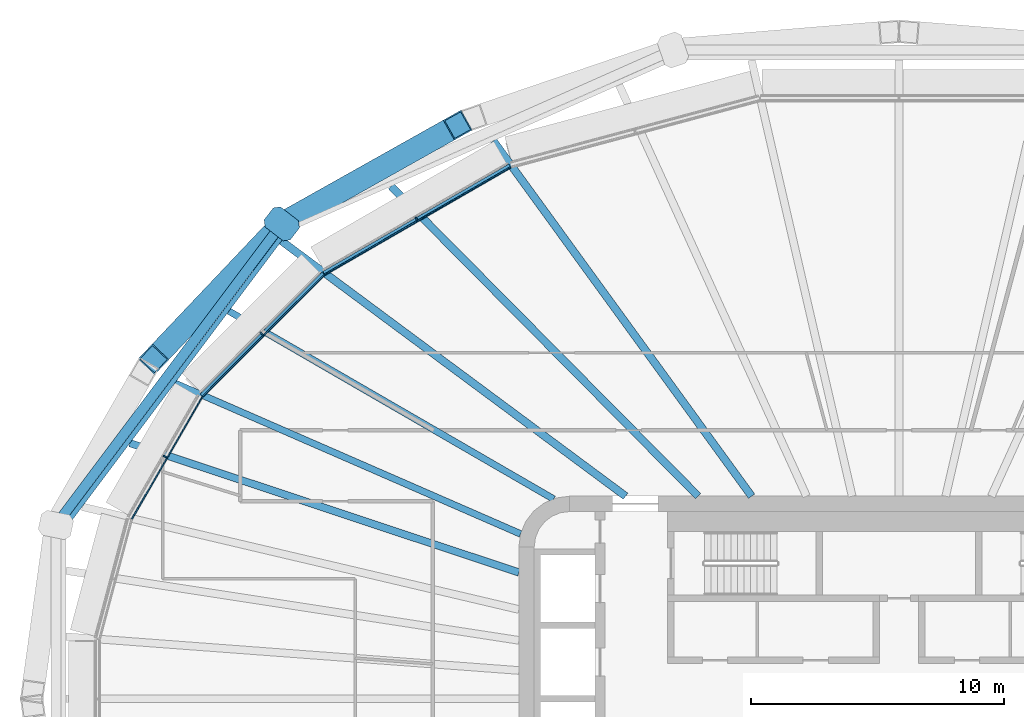
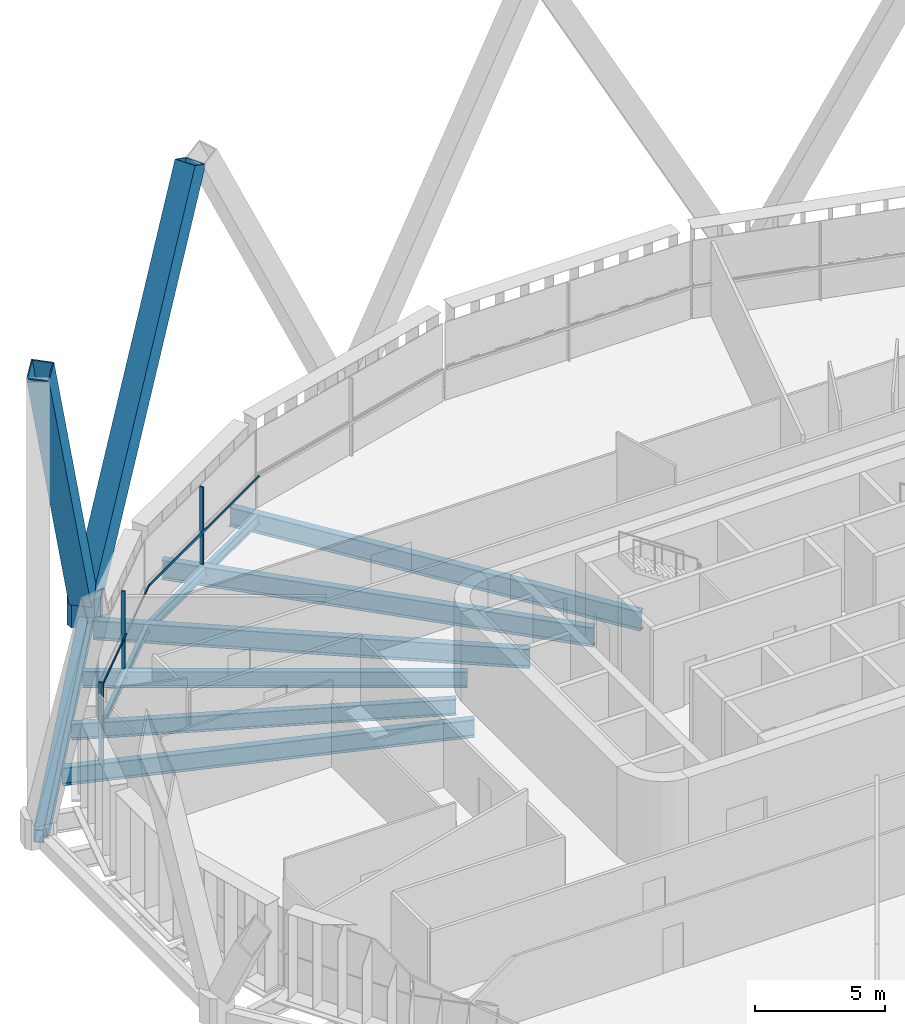
# One storey, part 7 of 26: 10 beams, 9 members, 3 elements without a shape of their own.
"""IFC4 building model written with IfcOpenShell, lengths in metres."""

from ifc_helpers import new_model, si_unit, direction, frame, origin, origin_2d, place, context, subcontext, project, spatial, polyline, rectangle, hollow_rectangle, i_section, outline, extrude, material, layer, layer_set, material_profile, profile_set, type_object, element, aggregate, save


model = new_model("IFC4")

# Units and contexts
model_context = context("Model", 3, precision=1e-05, world=origin(), true_north=direction((0.0, 1.0)))
body_context = subcontext(model_context, "Body", "Model", "MODEL_VIEW")
ifc_project = project(units=[si_unit("LENGTHUNIT", "METRE"), si_unit("AREAUNIT", "SQUARE_METRE"), si_unit("VOLUMEUNIT", "CUBIC_METRE"), si_unit("PLANEANGLEUNIT", "RADIAN"), si_unit("MASSUNIT", "GRAM", prefix="KILO")], contexts=[model_context])

# Site, building, storey
site_placement = place(None, origin())
site = spatial("IfcSite", under=ifc_project, at=site_placement, CompositionType="ELEMENT")
building_placement = place(site_placement, origin())
building = spatial("IfcBuilding", under=site, at=building_placement, Name="Sahrelin Media Tower", CompositionType="ELEMENT")
storey_placement = place(building_placement, frame((0.0, 0.0, 131.39990234375)))
storey = spatial("IfcBuildingStorey", under=building, at=storey_placement, Name="L26", CompositionType="ELEMENT", Elevation=131.39990234375)

# Members
ifc_material_1 = material(Name="Steel S460", Category="steel")
ifc_material_profile_1 = material_profile(ifc_material_1, hollow_rectangle(XDim=0.89990234375, YDim=0.89990234375, WallThickness=0.050048828125, at=origin_2d()), Name="Diagrid diagonal DG3")
ifc_profile_set_1 = profile_set([ifc_material_profile_1], Name="Steel S460")
member_type_1 = type_object("IfcMemberType", Name="Diagrid diagonal DG3", PredefinedType="BRACE", material=ifc_profile_set_1)
member_1_placement = place(storey_placement, frame((-24.056640625, 18.918212890625, 0.7001953125), z_axis=(0.386530667457, 0.217011390542, 0.896381670657), x_axis=(-0.489554855543, 0.871972501524, 0.0)))
element("IfcMember", 1, at=member_1_placement, inside=storey, type_object=member_type_1, Name="Diagrid diagonal D05-08", PredefinedType="BRACE", context=body_context, shape_type="SweptSolid", body=[
    extrude(hollow_rectangle(XDim=0.89990234375, YDim=0.89990234375, WallThickness=0.050048828125, at=origin_2d()), origin(), (0.0, 0.0, 1.0), 17.18017578125),
])
member_2_placement = place(storey_placement, frame((-24.57861328125, 18.516357421875, 0.7001953125), z_axis=(-0.28605931744, -0.301832156171, 0.909432469404), x_axis=(0.725816925238, -0.687887920404, 0.0)))
element("IfcMember", 2, at=member_2_placement, inside=storey, type_object=member_type_1, Name="Diagrid diagonal D05-09", PredefinedType="BRACE", context=body_context, shape_type="SweptSolid", body=[
    extrude(hollow_rectangle(XDim=0.89990234375, YDim=0.89990234375, WallThickness=0.050048828125, at=origin_2d()), origin(), (0.0, 0.0, 1.0), 16.93359375),
])
ifc_material_profile_2 = material_profile(ifc_material_1, outline(polyline([(0.449951171875, -0.5), (0.64990234375, -0.300048828125), (0.64990234375, 0.300048828125), (0.449951171875, 0.5), (-0.449951171875, 0.5), (-0.64990234375, 0.300048828125), (-0.64990234375, -0.300048828125), (-0.449951171875, -0.5), (0.449951171875, -0.5)])), Name="Diagrid node block 1300")
ifc_profile_set_2 = profile_set([ifc_material_profile_2], Name="Steel S460")
member_type_2 = type_object("IfcMemberType", Name="Diagrid node block 1300", PredefinedType="USERDEFINED", material=ifc_profile_set_2)
member_3_placement = place(storey_placement, frame((-24.3583984375, 18.748779296875, -0.699951171875), z_axis=(0.0, 0.0, 1.0), x_axis=(-0.792445093645, 0.609943254376, 0.0)))
element("IfcMember", 3, at=member_3_placement, inside=storey, type_object=member_type_2, Name="Diagrid node N05-04", ObjectType="NODE", PredefinedType="USERDEFINED", context=body_context, shape_type="SweptSolid", body=[
    extrude(outline(polyline([(0.449951171875, -0.5), (0.64990234375, -0.300048828125), (0.64990234375, 0.300048828125), (0.449951171875, 0.5), (-0.449951171875, 0.5), (-0.64990234375, 0.300048828125), (-0.64990234375, -0.300048828125), (-0.449951171875, -0.5), (0.449951171875, -0.5)])), origin(), (0.0, 0.0, 1.0), 1.400146484375),
])

# Beams
ifc_material_profile_3 = material_profile(ifc_material_1, hollow_rectangle(XDim=0.39990234375, YDim=0.60009765625, WallThickness=0.030029296875, at=origin_2d()), Name="Diagrid ring beam RB1")
ifc_profile_set_3 = profile_set([ifc_material_profile_3], Name="Steel S460")
beam_type_1 = type_object("IfcBeamType", Name="Diagrid ring beam RB1", PredefinedType="BEAM", material=ifc_profile_set_3)
beam_1_placement = place(storey_placement, frame((-24.3583984375, 18.748779296875, -0.449951171875), z_axis=(-0.600057835332, -0.799956620234, 0.0), x_axis=(0.799956620234, -0.600057835332, 0.0)))
element("IfcBeam", 4, at=beam_1_placement, inside=storey, type_object=beam_type_1, Name="Diagrid ring beam RB05-04", PredefinedType="BEAM", context=body_context, shape_type="SweptSolid", body=[
    extrude(hollow_rectangle(XDim=0.39990234375, YDim=0.60009765625, WallThickness=0.030029296875, at=origin_2d()), origin(), (0.0, 0.0, 1.0), 14.858642578125),
])
ifc_material_2 = material(Name="Steel S355", Category="steel")
ifc_material_profile_4 = material_profile(ifc_material_2, i_section(OverallWidth=0.17138671875, OverallDepth=0.35498046875, WebThickness=0.00732421875, FlangeThickness=0.011474609375, FilletRadius=0.01025390625, at=origin_2d()), Name="UB 356x171x51")
ifc_profile_set_4 = profile_set([ifc_material_profile_4], Name="Steel S355")
beam_type_2 = type_object("IfcBeamType", Name="Edge beam EB3", PredefinedType="BEAM", material=ifc_profile_set_4)
beam_2_placement = place(storey_placement, frame((-27.51220703125, 11.97119140625, -0.327392578125), z_axis=(0.707106781187, 0.707106781187, 0.0), x_axis=(-0.707106781187, 0.707106781187, 0.0)))
element("IfcBeam", 5, at=beam_2_placement, inside=storey, type_object=beam_type_2, Name="Edge beam L26-16", PredefinedType="BEAM", context=body_context, shape_type="SweptSolid", body=[
    extrude(i_section(OverallWidth=0.17138671875, OverallDepth=0.35498046875, WebThickness=0.00732421875, FlangeThickness=0.011474609375, FilletRadius=0.01025390625, at=origin_2d()), origin(), (0.0, 0.0, 1.0), 6.789794921875),
])
ifc_material_profile_5 = material_profile(ifc_material_2, i_section(OverallWidth=0.1904296875, OverallDepth=0.45703125, WebThickness=0.009033203125, FlangeThickness=0.014404296875, FilletRadius=0.01025390625, at=origin_2d()), Name="UB 457x191x74")
ifc_profile_set_5 = profile_set([ifc_material_profile_5], Name="Steel S355")
beam_type_3 = type_object("IfcBeamType", Name="Edge beam EB5", PredefinedType="BEAM", material=ifc_profile_set_5)
beam_3_placement = place(storey_placement, frame((-22.6884765625, 16.789794921875, -0.37841796875), z_axis=(0.866017756825, 0.500013244689, 0.0), x_axis=(-0.500013244689, 0.866017756825, 0.0)))
element("IfcBeam", 6, at=beam_3_placement, inside=storey, type_object=beam_type_3, Name="Edge beam L26-17", PredefinedType="BEAM", context=body_context, shape_type="SweptSolid", body=[
    extrude(i_section(OverallWidth=0.1904296875, OverallDepth=0.45703125, WebThickness=0.009033203125, FlangeThickness=0.014404296875, FilletRadius=0.01025390625, at=origin_2d()), origin(), (0.0, 0.0, 1.0), 8.478759765625),
])

# Curtain wall, member
ifc_material_3 = material(Name="Champagne anodised aluminium 6063-T6", Category="aluminium")
ifc_layer = layer(ifc_material_3, 0.14990234375)
ifc_layer_set = layer_set([ifc_layer], Name="Tower ribbon curtain wall")
curtain_wall_type = type_object("IfcCurtainWallType", Name="Tower ribbon curtain wall", PredefinedType="NOTDEFINED", material=ifc_layer_set)
curtain_wall_1_placement = place(storey_placement, frame((-19.092041015625, 19.039306640625, 0.0), z_axis=(0.0, 0.0, 1.0), x_axis=(1.0, 0.0, 0.0)))
curtain_wall_1 = element("IfcCurtainWall", 7, at=curtain_wall_1_placement, inside=storey, type_object=curtain_wall_type, Name="L26:CW:L26-08", PredefinedType="NOTDEFINED")
ifc_material_profile_6 = material_profile(ifc_material_3, rectangle(XDim=0.06005859375, YDim=0.14990234375, at=origin_2d()), Name="Mullion 60x150")
ifc_profile_set_6 = profile_set([ifc_material_profile_6], Name="Champagne anodised aluminium 6063-T6")
member_type_3 = type_object("IfcMemberType", Name="Mullion 60x150 CW1", PredefinedType="MULLION", material=ifc_profile_set_6)
member_4_placement = place(storey_placement, frame((-19.04443359375, 18.95703125, 0.0), z_axis=(0.0, 0.0, 1.0), x_axis=(-0.866028894422, -0.49999395399, 0.0)))
member_4 = element("IfcMember", 8, at=member_4_placement, type_object=member_type_3, Name="L26:CWM:L26-08", PredefinedType="MULLION", context=body_context, shape_type="SweptSolid", body=[
    extrude(rectangle(XDim=0.06005859375, YDim=0.14990234375, at=origin_2d()), origin(), (0.0, 0.0, 1.0), 3.648681640625),
])

curtain_wall_2_placement = place(storey_placement, frame((-25.218017578125, 14.477783203125, 0.0), z_axis=(0.0, 0.0, 1.0), x_axis=(1.0, 0.0, 0.0)))
curtain_wall_2 = element("IfcCurtainWall", 9, at=curtain_wall_2_placement, inside=storey, type_object=curtain_wall_type, Name="L26:CW:L26-09", PredefinedType="NOTDEFINED")
member_5_placement = place(storey_placement, frame((-25.150634765625, 14.41064453125, 0.0), z_axis=(0.0, 0.0, 1.0), x_axis=(-0.707099376343, -0.707114185953, 0.0)))
member_5 = element("IfcMember", 10, at=member_5_placement, type_object=member_type_3, Name="L26:CWM:L26-09", PredefinedType="MULLION", context=body_context, shape_type="SweptSolid", body=[
    extrude(rectangle(XDim=0.06005859375, YDim=0.14990234375, at=origin_2d()), origin(), (0.0, 0.0, 1.0), 3.648681640625),
])

curtain_wall_3_placement = place(storey_placement, frame((-29.053955078125, 9.608642578125, 0.0), z_axis=(0.0, 0.0, 1.0), x_axis=(1.0, 0.0, 0.0)))
curtain_wall_3 = element("IfcCurtainWall", 11, at=curtain_wall_3_placement, inside=storey, type_object=curtain_wall_type, Name="L26:CW:L26-10", PredefinedType="NOTDEFINED")
member_6_placement = place(storey_placement, frame((-28.9716796875, 9.56103515625, 0.0), z_axis=(0.0, 0.0, 1.0), x_axis=(-0.500006045986, -0.866021913105, 0.0)))
member_6 = element("IfcMember", 12, at=member_6_placement, type_object=member_type_3, Name="L26:CWM:L26-10", PredefinedType="MULLION", context=body_context, shape_type="SweptSolid", body=[
    extrude(rectangle(XDim=0.06005859375, YDim=0.14990234375, at=origin_2d()), origin(), (0.0, 0.0, 1.0), 3.648681640625),
])

# Beams
ifc_material_profile_7 = material_profile(ifc_material_2, i_section(OverallWidth=0.30322265625, OverallDepth=0.903076171875, WebThickness=0.01513671875, FlangeThickness=0.020263671875, FilletRadius=0.01904296875, at=origin_2d()), Name="UB 914x305x201")
ifc_profile_set_7 = profile_set([ifc_material_profile_7], Name="Steel S355")
beam_type_4 = type_object("IfcBeamType", Name="Radial primary beam PB11", PredefinedType="BEAM", material=ifc_profile_set_7)
beam_4_placement = place(storey_placement, frame((-5.814453125, 8.0, -0.601318359375), z_axis=(-0.587913818186, 0.808923570176, 0.0), x_axis=(-0.808923570176, -0.587913818186, 0.0)))
element("IfcBeam", 13, at=beam_4_placement, inside=storey, type_object=beam_type_4, Name="Radial beam L26-08", PredefinedType="BEAM", context=body_context, shape_type="SweptSolid", body=[
    extrude(i_section(OverallWidth=0.30322265625, OverallDepth=0.903076171875, WebThickness=0.01513671875, FlangeThickness=0.020263671875, FilletRadius=0.01904296875, at=origin_2d()), origin(), (0.0, 0.0, 1.0), 17.33984375),
])
beam_5_placement = place(storey_placement, frame((-10.7880859375, 8.0, -0.601318359375), z_axis=(-0.803231499459, 0.595666986056, 0.0), x_axis=(-0.595666986056, -0.803231499459, 0.0)))
element("IfcBeam", 14, at=beam_5_placement, inside=storey, type_object=beam_type_4, Name="Radial beam L26-09", PredefinedType="BEAM", context=body_context, shape_type="SweptSolid", body=[
    extrude(i_section(OverallWidth=0.30322265625, OverallDepth=0.903076171875, WebThickness=0.01513671875, FlangeThickness=0.020263671875, FilletRadius=0.01904296875, at=origin_2d()), origin(), (0.0, 0.0, 1.0), 16.910400390625),
])
ifc_material_profile_8 = material_profile(ifc_material_2, i_section(OverallWidth=0.26513671875, OverallDepth=0.75390625, WebThickness=0.0126953125, FlangeThickness=0.017578125, FilletRadius=0.0166015625, at=origin_2d()), Name="UB 762x267x147")
ifc_profile_set_8 = profile_set([ifc_material_profile_8], Name="Steel S355")
beam_type_5 = type_object("IfcBeamType", Name="Radial primary beam PB9", PredefinedType="BEAM", material=ifc_profile_set_8)
beam_6_placement = place(storey_placement, frame((-14.932861328125, 6.510986328125, -0.52685546875), z_axis=(-0.916643283171, 0.399706256414, 0.0), x_axis=(-0.399706256414, -0.916643283171, 0.0)))
element("IfcBeam", 15, at=beam_6_placement, inside=storey, type_object=beam_type_5, Name="Radial beam L26-10", PredefinedType="BEAM", context=body_context, shape_type="SweptSolid", body=[
    extrude(i_section(OverallWidth=0.26513671875, OverallDepth=0.75390625, WebThickness=0.0126953125, FlangeThickness=0.017578125, FilletRadius=0.0166015625, at=origin_2d()), origin(), (0.0, 0.0, 1.0), 14.88818359375),
])
ifc_material_profile_9 = material_profile(ifc_material_2, i_section(OverallWidth=0.291748046875, OverallDepth=0.8349609375, WebThickness=0.013916015625, FlangeThickness=0.018798828125, FilletRadius=0.017822265625, at=origin_2d()), Name="UB 838x292x176")
ifc_profile_set_9 = profile_set([ifc_material_profile_9], Name="Steel S355")
beam_type_6 = type_object("IfcBeamType", Name="Radial secondary beam SB10", PredefinedType="BEAM", material=ifc_profile_set_9)
beam_7_placement = place(storey_placement, frame((-15.0, 4.98876953125, -0.5673828125), z_axis=(-0.948898825234, 0.315580448491, 0.0), x_axis=(-0.315580448491, -0.948898825234, 0.0)))
element("IfcBeam", 16, at=beam_7_placement, inside=storey, type_object=beam_type_6, Name="Secondary beam L26-10", PredefinedType="BEAM", context=body_context, shape_type="SweptSolid", body=[
    extrude(i_section(OverallWidth=0.291748046875, OverallDepth=0.8349609375, WebThickness=0.013916015625, FlangeThickness=0.018798828125, FilletRadius=0.017822265625, at=origin_2d()), origin(), (0.0, 0.0, 1.0), 16.181884765625),
])
ifc_material_profile_10 = material_profile(ifc_material_2, i_section(OverallWidth=0.30322265625, OverallDepth=0.903076171875, WebThickness=0.01513671875, FlangeThickness=0.020263671875, FilletRadius=0.01904296875, at=origin_2d()), Name="UB 914x305x201")
ifc_profile_set_10 = profile_set([ifc_material_profile_10], Name="Steel S355")
beam_type_7 = type_object("IfcBeamType", Name="Radial secondary beam SB11", PredefinedType="BEAM", material=ifc_profile_set_10)
beam_8_placement = place(storey_placement, frame((-7.923583984375, 8.0, -0.601318359375), z_axis=(-0.70370303488, 0.71049422144, 0.0), x_axis=(-0.71049422144, -0.70370303488, 0.0)))
element("IfcBeam", 17, at=beam_8_placement, inside=storey, type_object=beam_type_7, Name="Secondary beam L26-08", PredefinedType="BEAM", context=body_context, shape_type="SweptSolid", body=[
    extrude(i_section(OverallWidth=0.30322265625, OverallDepth=0.903076171875, WebThickness=0.01513671875, FlangeThickness=0.020263671875, FilletRadius=0.01904296875, at=origin_2d()), origin(), (0.0, 0.0, 1.0), 17.219970703125),
])
ifc_material_profile_11 = material_profile(ifc_material_2, i_section(OverallWidth=0.26513671875, OverallDepth=0.75390625, WebThickness=0.0126953125, FlangeThickness=0.017578125, FilletRadius=0.0166015625, at=origin_2d()), Name="UB 762x267x147")
ifc_profile_set_11 = profile_set([ifc_material_profile_11], Name="Steel S355")
beam_type_8 = type_object("IfcBeamType", Name="Radial secondary beam SB9", PredefinedType="BEAM", material=ifc_profile_set_11)
beam_9_placement = place(storey_placement, frame((-13.627197265625, 7.886474609375, -0.52685546875), z_axis=(-0.865515798986, 0.500881624444, 0.0), x_axis=(-0.500881624444, -0.865515798986, 0.0)))
element("IfcBeam", 18, at=beam_9_placement, inside=storey, type_object=beam_type_8, Name="Secondary beam L26-09", PredefinedType="BEAM", context=body_context, shape_type="SweptSolid", body=[
    extrude(i_section(OverallWidth=0.26513671875, OverallDepth=0.75390625, WebThickness=0.0126953125, FlangeThickness=0.017578125, FilletRadius=0.0166015625, at=origin_2d()), origin(), (0.0, 0.0, 1.0), 14.811767578125),
])
ifc_material_profile_12 = material_profile(ifc_material_2, i_section(OverallWidth=0.1904296875, OverallDepth=0.45703125, WebThickness=0.009033203125, FlangeThickness=0.014404296875, FilletRadius=0.01025390625, at=origin_2d()), Name="UB 457x191x74")
ifc_profile_set_12 = profile_set([ifc_material_profile_12], Name="Steel S355")
beam_type_9 = type_object("IfcBeamType", Name="Tie chord TC5", PredefinedType="BEAM", material=ifc_profile_set_12)
beam_10_placement = place(storey_placement, frame((-32.97412109375, 6.762451171875, -0.37841796875), z_axis=(0.60004789499, 0.799964076517, 0.0), x_axis=(-0.799964076517, 0.60004789499, 0.0)))
element("IfcBeam", 19, at=beam_10_placement, inside=storey, type_object=beam_type_9, Name="Tie chord L26-08", PredefinedType="BEAM", context=body_context, shape_type="SweptSolid", body=[
    extrude(i_section(OverallWidth=0.1904296875, OverallDepth=0.45703125, WebThickness=0.009033203125, FlangeThickness=0.014404296875, FilletRadius=0.01025390625, at=origin_2d()), origin(), (0.0, 0.0, 1.0), 14.68017578125),
])

# Member
ifc_material_profile_13 = material_profile(ifc_material_3, rectangle(XDim=0.050048828125, YDim=0.10009765625, at=origin_2d()), Name="Transom 50x100")
ifc_profile_set_13 = profile_set([ifc_material_profile_13], Name="Champagne anodised aluminium 6063-T6")
member_type_4 = type_object("IfcMemberType", Name="Transom 50x100 CW1", PredefinedType="USERDEFINED", material=ifc_profile_set_13)
member_7_placement = place(storey_placement, frame((-15.336669921875, 20.982421875, 1.60009765625), z_axis=(-0.866029168372, -0.499993479487, 0.0), x_axis=(0.499993479487, -0.866029168372, 0.0)))
member_7 = element("IfcMember", 20, at=member_7_placement, type_object=member_type_4, Name="L26:CWT:L26-08", ObjectType="TRANSOM", PredefinedType="USERDEFINED", context=body_context, shape_type="SweptSolid", body=[
    extrude(rectangle(XDim=0.050048828125, YDim=0.10009765625, at=origin_2d()), origin(), (0.0, 0.0, 1.0), 8.447265625),
])

aggregate(curtain_wall_1, [member_4, member_7])

member_8_placement = place(storey_placement, frame((-22.690673828125, 16.7294921875, 1.60009765625), z_axis=(-0.707088719019, -0.707124842893, 0.0), x_axis=(0.707124842893, -0.707088719019, 0.0)))
member_8 = element("IfcMember", 21, at=member_8_placement, type_object=member_type_4, Name="L26:CWT:L26-09", ObjectType="TRANSOM", PredefinedType="USERDEFINED", context=body_context, shape_type="SweptSolid", body=[
    extrude(rectangle(XDim=0.050048828125, YDim=0.10009765625, at=origin_2d()), origin(), (0.0, 0.0, 1.0), 6.758544921875),
])

aggregate(curtain_wall_2, [member_5, member_8])

member_9_placement = place(storey_placement, frame((-27.498779296875, 11.912109375, 1.60009765625), z_axis=(-0.500003221507, -0.866023543838, 0.0), x_axis=(0.866023543838, -0.500003221507, 0.0)))
member_9 = element("IfcMember", 22, at=member_9_placement, type_object=member_type_4, Name="L26:CWT:L26-10", ObjectType="TRANSOM", PredefinedType="USERDEFINED", context=body_context, shape_type="SweptSolid", body=[
    extrude(rectangle(XDim=0.050048828125, YDim=0.10009765625, at=origin_2d()), origin(), (0.0, 0.0, 1.0), 5.544921875),
])

aggregate(curtain_wall_3, [member_6, member_9])

save(model, "model.ifc")
